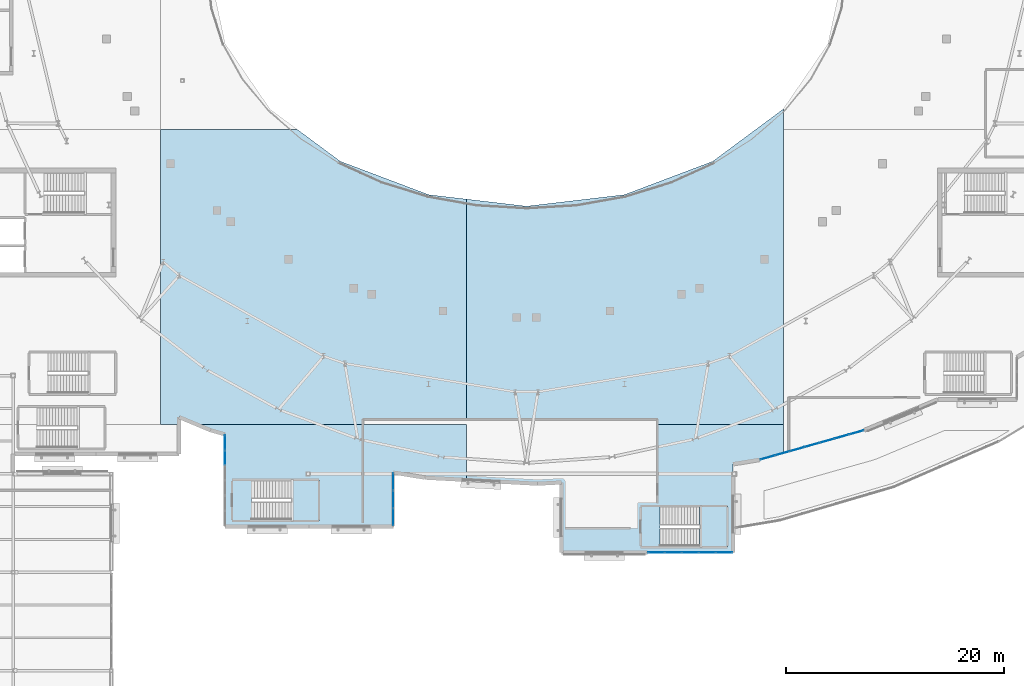
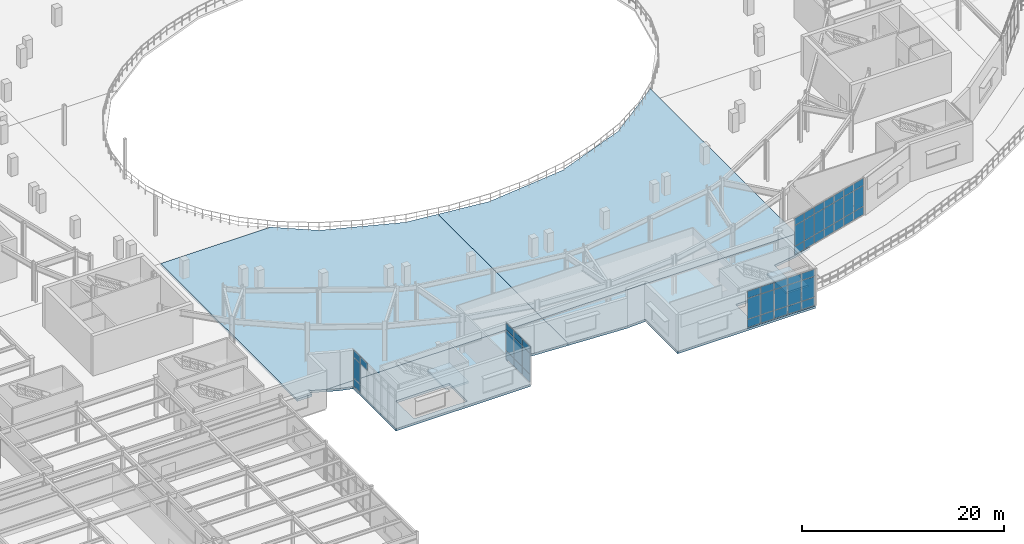
# One storey, part 51 of 84: 49 plates, 6 slabs, 6 elements without a shape of their own.
"""IFC4 building model written with IfcOpenShell, lengths in metres."""

from ifc_helpers import new_model, si_unit, direction, frame, origin, origin_2d, place, context, subcontext, project, spatial, polyline, rectangle, outline, extrude, material, layer, layer_set, type_object, element, aggregate, save


model = new_model("IFC4")

# Units and contexts
model_context = context("Model", 3, precision=1e-05, world=origin(), true_north=direction((0.0, 1.0)))
body_context = subcontext(model_context, "Body", "Model", "MODEL_VIEW")
ifc_project = project(units=[si_unit("LENGTHUNIT", "METRE"), si_unit("AREAUNIT", "SQUARE_METRE"), si_unit("VOLUMEUNIT", "CUBIC_METRE"), si_unit("PLANEANGLEUNIT", "RADIAN"), si_unit("MASSUNIT", "GRAM", prefix="KILO")], contexts=[model_context])

# Site, building, storey
site_placement = place(None, origin())
site = spatial("IfcSite", under=ifc_project, at=site_placement, CompositionType="ELEMENT")
building_placement = place(site_placement, origin())
building = spatial("IfcBuilding", under=site, at=building_placement, Name="Glasvene Arena", CompositionType="ELEMENT")
storey_placement = place(building_placement, frame((0.0, 0.0, 10.199951171875)))
storey = spatial("IfcBuildingStorey", under=building, at=storey_placement, Name="L02", CompositionType="ELEMENT", Elevation=10.199951171875)

# Curtain wall, plates
ifc_material_1 = material(Name="Low-emissivity laminated double glazing", Category="glass")
curtain_wall_type_1 = type_object("IfcCurtainWallType", Name="CW-FAC-L02-985x446", PredefinedType="USERDEFINED", material=ifc_material_1)
curtain_wall_1_placement = place(storey_placement, frame((122.87939453125, 30.98291015625, 0.0)))
curtain_wall_1 = element("IfcCurtainWall", 1, at=curtain_wall_1_placement, inside=storey, type_object=curtain_wall_type_1, Name="Unitised curtain wall CW-F-L02-180-1181-296-46", ObjectType="CURTAIN WALL", PredefinedType="USERDEFINED")
ifc_layer_1 = layer(ifc_material_1, 0.028076171875)
ifc_layer_set_1 = layer_set([ifc_layer_1], Name="Low-emissivity laminated double glazing")
plate_type = type_object("IfcPlateType", Name="CW-GLZ-28", PredefinedType="CURTAIN_PANEL", material=ifc_layer_set_1)
plate_1_placement = place(storey_placement, frame((122.190673828125, 30.78857421875, 0.10986328125), z_axis=(0.0, 0.0, 1.0), x_axis=(-0.962411023599, -0.271597167979, 0.0)))
plate_1 = element("IfcPlate", 2, at=plate_1_placement, type_object=plate_type, Name="CW-026 panel 1.1", PredefinedType="CURTAIN_PANEL", context=body_context, shape_type="SweptSolid", body=[
    extrude(rectangle(XDim=1.331787109375, YDim=0.028076171875, at=origin_2d()), origin(), (0.0, 0.0, 1.0), 0.965087890625),
])
plate_2_placement = place(storey_placement, frame((122.190673828125, 30.78857421875, 1.125), z_axis=(0.0, 0.0, 1.0), x_axis=(-0.962411023599, -0.271597167979, 0.0)))
plate_2 = element("IfcPlate", 3, at=plate_2_placement, type_object=plate_type, Name="CW-026 panel 1.2", PredefinedType="CURTAIN_PANEL", context=body_context, shape_type="SweptSolid", body=[
    extrude(rectangle(XDim=1.331787109375, YDim=0.028076171875, at=origin_2d()), origin(), (0.0, 0.0, 1.0), 2.469970703125),
])
plate_3_placement = place(storey_placement, frame((122.190673828125, 30.78857421875, 3.64501953125), z_axis=(0.0, 0.0, 1.0), x_axis=(-0.962411023599, -0.271597167979, 0.0)))
plate_3 = element("IfcPlate", 4, at=plate_3_placement, type_object=plate_type, Name="CW-026 panel 1.3", PredefinedType="CURTAIN_PANEL", context=body_context, shape_type="SweptSolid", body=[
    extrude(rectangle(XDim=1.331787109375, YDim=0.028076171875, at=origin_2d()), origin(), (0.0, 0.0, 1.0), 0.824951171875),
])
plate_4_placement = place(storey_placement, frame((120.848876953125, 30.409912109375, 0.10986328125), z_axis=(0.0, 0.0, 1.0), x_axis=(-0.962411023599, -0.271597167979, 0.0)))
plate_4 = element("IfcPlate", 5, at=plate_4_placement, type_object=plate_type, Name="CW-026 panel 2.1", PredefinedType="CURTAIN_PANEL", context=body_context, shape_type="SweptSolid", body=[
    extrude(rectangle(XDim=1.356689453125, YDim=0.028076171875, at=origin_2d()), origin(), (0.0, 0.0, 1.0), 0.965087890625),
])
plate_5_placement = place(storey_placement, frame((120.848876953125, 30.409912109375, 1.125), z_axis=(0.0, 0.0, 1.0), x_axis=(-0.962411023599, -0.271597167979, 0.0)))
plate_5 = element("IfcPlate", 6, at=plate_5_placement, type_object=plate_type, Name="CW-026 panel 2.2", PredefinedType="CURTAIN_PANEL", context=body_context, shape_type="SweptSolid", body=[
    extrude(rectangle(XDim=1.356689453125, YDim=0.028076171875, at=origin_2d()), origin(), (0.0, 0.0, 1.0), 2.469970703125),
])
plate_6_placement = place(storey_placement, frame((120.848876953125, 30.409912109375, 3.64501953125), z_axis=(0.0, 0.0, 1.0), x_axis=(-0.962411023599, -0.271597167979, 0.0)))
plate_6 = element("IfcPlate", 7, at=plate_6_placement, type_object=plate_type, Name="CW-026 panel 2.3", PredefinedType="CURTAIN_PANEL", context=body_context, shape_type="SweptSolid", body=[
    extrude(rectangle(XDim=1.356689453125, YDim=0.028076171875, at=origin_2d()), origin(), (0.0, 0.0, 1.0), 0.824951171875),
])
plate_7_placement = place(storey_placement, frame((119.494873046875, 30.02783203125, 0.10986328125), z_axis=(0.0, 0.0, 1.0), x_axis=(-0.962411023599, -0.271597167979, 0.0)))
plate_7 = element("IfcPlate", 8, at=plate_7_placement, type_object=plate_type, Name="CW-026 panel 3.1", PredefinedType="CURTAIN_PANEL", context=body_context, shape_type="SweptSolid", body=[
    extrude(rectangle(XDim=1.356689453125, YDim=0.028076171875, at=origin_2d()), origin(), (0.0, 0.0, 1.0), 0.965087890625),
])
plate_8_placement = place(storey_placement, frame((119.494873046875, 30.02783203125, 1.125), z_axis=(0.0, 0.0, 1.0), x_axis=(-0.962411023599, -0.271597167979, 0.0)))
plate_8 = element("IfcPlate", 9, at=plate_8_placement, type_object=plate_type, Name="CW-026 panel 3.2", PredefinedType="CURTAIN_PANEL", context=body_context, shape_type="SweptSolid", body=[
    extrude(rectangle(XDim=1.356689453125, YDim=0.028076171875, at=origin_2d()), origin(), (0.0, 0.0, 1.0), 2.469970703125),
])
plate_9_placement = place(storey_placement, frame((119.494873046875, 30.02783203125, 3.64501953125), z_axis=(0.0, 0.0, 1.0), x_axis=(-0.962411023599, -0.271597167979, 0.0)))
plate_9 = element("IfcPlate", 10, at=plate_9_placement, type_object=plate_type, Name="CW-026 panel 3.3", PredefinedType="CURTAIN_PANEL", context=body_context, shape_type="SweptSolid", body=[
    extrude(rectangle(XDim=1.356689453125, YDim=0.028076171875, at=origin_2d()), origin(), (0.0, 0.0, 1.0), 0.824951171875),
])
plate_10_placement = place(storey_placement, frame((118.14111328125, 29.645751953125, 0.10986328125), z_axis=(0.0, 0.0, 1.0), x_axis=(-0.962411023599, -0.271597167979, 0.0)))
plate_10 = element("IfcPlate", 11, at=plate_10_placement, type_object=plate_type, Name="CW-026 panel 4.1", PredefinedType="CURTAIN_PANEL", context=body_context, shape_type="SweptSolid", body=[
    extrude(rectangle(XDim=1.356689453125, YDim=0.028076171875, at=origin_2d()), origin(), (0.0, 0.0, 1.0), 0.965087890625),
])
plate_11_placement = place(storey_placement, frame((118.14111328125, 29.645751953125, 1.125), z_axis=(0.0, 0.0, 1.0), x_axis=(-0.962411023599, -0.271597167979, 0.0)))
plate_11 = element("IfcPlate", 12, at=plate_11_placement, type_object=plate_type, Name="CW-026 panel 4.2", PredefinedType="CURTAIN_PANEL", context=body_context, shape_type="SweptSolid", body=[
    extrude(rectangle(XDim=1.356689453125, YDim=0.028076171875, at=origin_2d()), origin(), (0.0, 0.0, 1.0), 2.469970703125),
])
plate_12_placement = place(storey_placement, frame((118.14111328125, 29.645751953125, 3.64501953125), z_axis=(0.0, 0.0, 1.0), x_axis=(-0.962411023599, -0.271597167979, 0.0)))
plate_12 = element("IfcPlate", 13, at=plate_12_placement, type_object=plate_type, Name="CW-026 panel 4.3", PredefinedType="CURTAIN_PANEL", context=body_context, shape_type="SweptSolid", body=[
    extrude(rectangle(XDim=1.356689453125, YDim=0.028076171875, at=origin_2d()), origin(), (0.0, 0.0, 1.0), 0.824951171875),
])
plate_13_placement = place(storey_placement, frame((116.787353515625, 29.263671875, 0.10986328125), z_axis=(0.0, 0.0, 1.0), x_axis=(-0.962411023599, -0.271597167979, 0.0)))
plate_13 = element("IfcPlate", 14, at=plate_13_placement, type_object=plate_type, Name="CW-026 panel 5.1", PredefinedType="CURTAIN_PANEL", context=body_context, shape_type="SweptSolid", body=[
    extrude(rectangle(XDim=1.356689453125, YDim=0.028076171875, at=origin_2d()), origin(), (0.0, 0.0, 1.0), 0.965087890625),
])
plate_14_placement = place(storey_placement, frame((116.787353515625, 29.263671875, 1.125), z_axis=(0.0, 0.0, 1.0), x_axis=(-0.962411023599, -0.271597167979, 0.0)))
plate_14 = element("IfcPlate", 15, at=plate_14_placement, type_object=plate_type, Name="CW-026 panel 5.2", PredefinedType="CURTAIN_PANEL", context=body_context, shape_type="SweptSolid", body=[
    extrude(rectangle(XDim=1.356689453125, YDim=0.028076171875, at=origin_2d()), origin(), (0.0, 0.0, 1.0), 2.469970703125),
])
plate_15_placement = place(storey_placement, frame((116.787353515625, 29.263671875, 3.64501953125), z_axis=(0.0, 0.0, 1.0), x_axis=(-0.962411023599, -0.271597167979, 0.0)))
plate_15 = element("IfcPlate", 16, at=plate_15_placement, type_object=plate_type, Name="CW-026 panel 5.3", PredefinedType="CURTAIN_PANEL", context=body_context, shape_type="SweptSolid", body=[
    extrude(rectangle(XDim=1.356689453125, YDim=0.028076171875, at=origin_2d()), origin(), (0.0, 0.0, 1.0), 0.824951171875),
])
plate_16_placement = place(storey_placement, frame((115.433349609375, 28.881591796875, 0.10986328125), z_axis=(0.0, 0.0, 1.0), x_axis=(-0.962411023599, -0.271597167979, 0.0)))
plate_16 = element("IfcPlate", 17, at=plate_16_placement, type_object=plate_type, Name="CW-026 panel 6.1", PredefinedType="CURTAIN_PANEL", context=body_context, shape_type="SweptSolid", body=[
    extrude(rectangle(XDim=1.356689453125, YDim=0.028076171875, at=origin_2d()), origin(), (0.0, 0.0, 1.0), 0.965087890625),
])
plate_17_placement = place(storey_placement, frame((115.433349609375, 28.881591796875, 1.125), z_axis=(0.0, 0.0, 1.0), x_axis=(-0.962411023599, -0.271597167979, 0.0)))
plate_17 = element("IfcPlate", 18, at=plate_17_placement, type_object=plate_type, Name="CW-026 panel 6.2", PredefinedType="CURTAIN_PANEL", context=body_context, shape_type="SweptSolid", body=[
    extrude(rectangle(XDim=1.356689453125, YDim=0.028076171875, at=origin_2d()), origin(), (0.0, 0.0, 1.0), 2.469970703125),
])
plate_18_placement = place(storey_placement, frame((115.433349609375, 28.881591796875, 3.64501953125), z_axis=(0.0, 0.0, 1.0), x_axis=(-0.962411023599, -0.271597167979, 0.0)))
plate_18 = element("IfcPlate", 19, at=plate_18_placement, type_object=plate_type, Name="CW-026 panel 6.3", PredefinedType="CURTAIN_PANEL", context=body_context, shape_type="SweptSolid", body=[
    extrude(rectangle(XDim=1.356689453125, YDim=0.028076171875, at=origin_2d()), origin(), (0.0, 0.0, 1.0), 0.824951171875),
])
plate_19_placement = place(storey_placement, frame((114.091552734375, 28.5029296875, 0.10986328125), z_axis=(0.0, 0.0, 1.0), x_axis=(-0.962411023599, -0.271597167979, 0.0)))
plate_19 = element("IfcPlate", 20, at=plate_19_placement, type_object=plate_type, Name="CW-026 panel 7.1", PredefinedType="CURTAIN_PANEL", context=body_context, shape_type="SweptSolid", body=[
    extrude(rectangle(XDim=1.331787109375, YDim=0.028076171875, at=origin_2d()), origin(), (0.0, 0.0, 1.0), 0.965087890625),
])
plate_20_placement = place(storey_placement, frame((114.091552734375, 28.5029296875, 1.125), z_axis=(0.0, 0.0, 1.0), x_axis=(-0.962411023599, -0.271597167979, 0.0)))
plate_20 = element("IfcPlate", 21, at=plate_20_placement, type_object=plate_type, Name="CW-026 panel 7.2", PredefinedType="CURTAIN_PANEL", context=body_context, shape_type="SweptSolid", body=[
    extrude(rectangle(XDim=1.331787109375, YDim=0.028076171875, at=origin_2d()), origin(), (0.0, 0.0, 1.0), 2.469970703125),
])
plate_21_placement = place(storey_placement, frame((114.091552734375, 28.5029296875, 3.64501953125), z_axis=(0.0, 0.0, 1.0), x_axis=(-0.962411023599, -0.271597167979, 0.0)))
plate_21 = element("IfcPlate", 22, at=plate_21_placement, type_object=plate_type, Name="CW-026 panel 7.3", PredefinedType="CURTAIN_PANEL", context=body_context, shape_type="SweptSolid", body=[
    extrude(rectangle(XDim=1.331787109375, YDim=0.028076171875, at=origin_2d()), origin(), (0.0, 0.0, 1.0), 0.824951171875),
])
aggregate(curtain_wall_1, [plate_1, plate_2, plate_3, plate_4, plate_5, plate_6, plate_7, plate_8, plate_9, plate_10, plate_11, plate_12, plate_13, plate_14, plate_15, plate_16, plate_17, plate_18, plate_19, plate_20, plate_21])

curtain_wall_type_2 = type_object("IfcCurtainWallType", Name="CW-FAC-L01-777x446", PredefinedType="USERDEFINED", material=ifc_material_1)
curtain_wall_2_placement = place(storey_placement, frame((110.860107421875, 19.800048828125, 0.0)))
curtain_wall_2 = element("IfcCurtainWall", 23, at=curtain_wall_2_placement, inside=storey, type_object=curtain_wall_type_2, Name="Unitised curtain wall CW-F-L02-180-1070-198-49", ObjectType="CURTAIN WALL", PredefinedType="USERDEFINED")
plate_22_placement = place(storey_placement, frame((110.070556640625, 19.800048828125, 0.10986328125), z_axis=(0.0, 0.0, 1.0), x_axis=(-1.0, 0.0, 0.0)))
plate_22 = element("IfcPlate", 24, at=plate_22_placement, type_object=plate_type, Name="CW-013 panel 1.1", PredefinedType="CURTAIN_PANEL", context=body_context, shape_type="SweptSolid", body=[
    extrude(rectangle(XDim=1.47900390625, YDim=0.028076171875, at=origin_2d()), origin(), (0.0, 0.0, 1.0), 0.965087890625),
])
plate_23_placement = place(storey_placement, frame((110.070556640625, 19.800048828125, 1.125), z_axis=(0.0, 0.0, 1.0), x_axis=(-1.0, 0.0, 0.0)))
plate_23 = element("IfcPlate", 25, at=plate_23_placement, type_object=plate_type, Name="CW-013 panel 1.2", PredefinedType="CURTAIN_PANEL", context=body_context, shape_type="SweptSolid", body=[
    extrude(rectangle(XDim=1.47900390625, YDim=0.028076171875, at=origin_2d()), origin(), (0.0, 0.0, 1.0), 2.469970703125),
])
plate_24_placement = place(storey_placement, frame((110.070556640625, 19.800048828125, 3.64501953125), z_axis=(0.0, 0.0, 1.0), x_axis=(-1.0, 0.0, 0.0)))
plate_24 = element("IfcPlate", 26, at=plate_24_placement, type_object=plate_type, Name="CW-013 panel 1.3", PredefinedType="CURTAIN_PANEL", context=body_context, shape_type="SweptSolid", body=[
    extrude(rectangle(XDim=1.47900390625, YDim=0.028076171875, at=origin_2d()), origin(), (0.0, 0.0, 1.0), 0.824951171875),
])
plate_25_placement = place(storey_placement, frame((108.529052734375, 19.800048828125, 0.10986328125), z_axis=(0.0, 0.0, 1.0), x_axis=(-1.0, 0.0, 0.0)))
plate_25 = element("IfcPlate", 27, at=plate_25_placement, type_object=plate_type, Name="CW-013 panel 2.1", PredefinedType="CURTAIN_PANEL", context=body_context, shape_type="SweptSolid", body=[
    extrude(rectangle(XDim=1.50390625, YDim=0.028076171875, at=origin_2d()), origin(), (0.0, 0.0, 1.0), 0.965087890625),
])
plate_26_placement = place(storey_placement, frame((108.529052734375, 19.800048828125, 1.125), z_axis=(0.0, 0.0, 1.0), x_axis=(-1.0, 0.0, 0.0)))
plate_26 = element("IfcPlate", 28, at=plate_26_placement, type_object=plate_type, Name="CW-013 panel 2.2", PredefinedType="CURTAIN_PANEL", context=body_context, shape_type="SweptSolid", body=[
    extrude(rectangle(XDim=1.50390625, YDim=0.028076171875, at=origin_2d()), origin(), (0.0, 0.0, 1.0), 2.469970703125),
])
plate_27_placement = place(storey_placement, frame((108.529052734375, 19.800048828125, 3.64501953125), z_axis=(0.0, 0.0, 1.0), x_axis=(-1.0, 0.0, 0.0)))
plate_27 = element("IfcPlate", 29, at=plate_27_placement, type_object=plate_type, Name="CW-013 panel 2.3", PredefinedType="CURTAIN_PANEL", context=body_context, shape_type="SweptSolid", body=[
    extrude(rectangle(XDim=1.50390625, YDim=0.028076171875, at=origin_2d()), origin(), (0.0, 0.0, 1.0), 0.824951171875),
])
plate_28_placement = place(storey_placement, frame((106.97509765625, 19.800048828125, 0.10986328125), z_axis=(0.0, 0.0, 1.0), x_axis=(-1.0, 0.0, 0.0)))
plate_28 = element("IfcPlate", 30, at=plate_28_placement, type_object=plate_type, Name="CW-013 panel 3.1", PredefinedType="CURTAIN_PANEL", context=body_context, shape_type="SweptSolid", body=[
    extrude(rectangle(XDim=1.50390625, YDim=0.028076171875, at=origin_2d()), origin(), (0.0, 0.0, 1.0), 0.965087890625),
])
plate_29_placement = place(storey_placement, frame((106.97509765625, 19.800048828125, 1.125), z_axis=(0.0, 0.0, 1.0), x_axis=(-1.0, 0.0, 0.0)))
plate_29 = element("IfcPlate", 31, at=plate_29_placement, type_object=plate_type, Name="CW-013 panel 3.2", PredefinedType="CURTAIN_PANEL", context=body_context, shape_type="SweptSolid", body=[
    extrude(rectangle(XDim=1.50390625, YDim=0.028076171875, at=origin_2d()), origin(), (0.0, 0.0, 1.0), 2.469970703125),
])
plate_30_placement = place(storey_placement, frame((106.97509765625, 19.800048828125, 3.64501953125), z_axis=(0.0, 0.0, 1.0), x_axis=(-1.0, 0.0, 0.0)))
plate_30 = element("IfcPlate", 32, at=plate_30_placement, type_object=plate_type, Name="CW-013 panel 3.3", PredefinedType="CURTAIN_PANEL", context=body_context, shape_type="SweptSolid", body=[
    extrude(rectangle(XDim=1.50390625, YDim=0.028076171875, at=origin_2d()), origin(), (0.0, 0.0, 1.0), 0.824951171875),
])
plate_31_placement = place(storey_placement, frame((105.4208984375, 19.800048828125, 0.10986328125), z_axis=(0.0, 0.0, 1.0), x_axis=(-1.0, 0.0, 0.0)))
plate_31 = element("IfcPlate", 33, at=plate_31_placement, type_object=plate_type, Name="CW-013 panel 4.1", PredefinedType="CURTAIN_PANEL", context=body_context, shape_type="SweptSolid", body=[
    extrude(rectangle(XDim=1.50390625, YDim=0.028076171875, at=origin_2d()), origin(), (0.0, 0.0, 1.0), 0.965087890625),
])
plate_32_placement = place(storey_placement, frame((105.4208984375, 19.800048828125, 1.125), z_axis=(0.0, 0.0, 1.0), x_axis=(-1.0, 0.0, 0.0)))
plate_32 = element("IfcPlate", 34, at=plate_32_placement, type_object=plate_type, Name="CW-013 panel 4.2", PredefinedType="CURTAIN_PANEL", context=body_context, shape_type="SweptSolid", body=[
    extrude(rectangle(XDim=1.50390625, YDim=0.028076171875, at=origin_2d()), origin(), (0.0, 0.0, 1.0), 2.469970703125),
])
plate_33_placement = place(storey_placement, frame((105.4208984375, 19.800048828125, 3.64501953125), z_axis=(0.0, 0.0, 1.0), x_axis=(-1.0, 0.0, 0.0)))
plate_33 = element("IfcPlate", 35, at=plate_33_placement, type_object=plate_type, Name="CW-013 panel 4.3", PredefinedType="CURTAIN_PANEL", context=body_context, shape_type="SweptSolid", body=[
    extrude(rectangle(XDim=1.50390625, YDim=0.028076171875, at=origin_2d()), origin(), (0.0, 0.0, 1.0), 0.824951171875),
])
plate_34_placement = place(storey_placement, frame((103.87939453125, 19.800048828125, 0.10986328125), z_axis=(0.0, 0.0, 1.0), x_axis=(-1.0, 0.0, 0.0)))
plate_34 = element("IfcPlate", 36, at=plate_34_placement, type_object=plate_type, Name="CW-013 panel 5.1", PredefinedType="CURTAIN_PANEL", context=body_context, shape_type="SweptSolid", body=[
    extrude(rectangle(XDim=1.47900390625, YDim=0.028076171875, at=origin_2d()), origin(), (0.0, 0.0, 1.0), 0.965087890625),
])
plate_35_placement = place(storey_placement, frame((103.87939453125, 19.800048828125, 1.125), z_axis=(0.0, 0.0, 1.0), x_axis=(-1.0, 0.0, 0.0)))
plate_35 = element("IfcPlate", 37, at=plate_35_placement, type_object=plate_type, Name="CW-013 panel 5.2", PredefinedType="CURTAIN_PANEL", context=body_context, shape_type="SweptSolid", body=[
    extrude(rectangle(XDim=1.47900390625, YDim=0.028076171875, at=origin_2d()), origin(), (0.0, 0.0, 1.0), 2.469970703125),
])
plate_36_placement = place(storey_placement, frame((103.87939453125, 19.800048828125, 3.64501953125), z_axis=(0.0, 0.0, 1.0), x_axis=(-1.0, 0.0, 0.0)))
plate_36 = element("IfcPlate", 38, at=plate_36_placement, type_object=plate_type, Name="CW-013 panel 5.3", PredefinedType="CURTAIN_PANEL", context=body_context, shape_type="SweptSolid", body=[
    extrude(rectangle(XDim=1.47900390625, YDim=0.028076171875, at=origin_2d()), origin(), (0.0, 0.0, 1.0), 0.824951171875),
])
aggregate(curtain_wall_2, [plate_22, plate_23, plate_24, plate_25, plate_26, plate_27, plate_28, plate_29, plate_30, plate_31, plate_32, plate_33, plate_34, plate_35, plate_36])

curtain_wall_type_3 = type_object("IfcCurtainWallType", Name="CW-FAC-L02-485x446", PredefinedType="USERDEFINED", material=ifc_material_1)
curtain_wall_3_placement = place(storey_placement, frame((79.800048828125, 27.085693359375, 0.0)))
curtain_wall_3 = element("IfcCurtainWall", 39, at=curtain_wall_3_placement, inside=storey, type_object=curtain_wall_type_3, Name="Unitised curtain wall CW-F-L02-180-798-247-55", ObjectType="CURTAIN WALL", PredefinedType="USERDEFINED")
plate_37_placement = place(storey_placement, frame((79.800048828125, 26.265625, 0.10986328125), z_axis=(0.0, 0.0, 1.0), x_axis=(0.0, -1.0, 0.0)))
plate_37 = element("IfcPlate", 40, at=plate_37_placement, type_object=plate_type, Name="CW-027 panel 1.1", PredefinedType="CURTAIN_PANEL", context=body_context, shape_type="SweptSolid", body=[
    extrude(rectangle(XDim=1.540283203125, YDim=0.028076171875, at=origin_2d()), origin(), (0.0, 0.0, 1.0), 0.965087890625),
])
plate_38_placement = place(storey_placement, frame((79.800048828125, 26.265625, 1.125), z_axis=(0.0, 0.0, 1.0), x_axis=(0.0, -1.0, 0.0)))
plate_38 = element("IfcPlate", 41, at=plate_38_placement, type_object=plate_type, Name="CW-027 panel 1.2", PredefinedType="CURTAIN_PANEL", context=body_context, shape_type="SweptSolid", body=[
    extrude(rectangle(XDim=1.540283203125, YDim=0.028076171875, at=origin_2d()), origin(), (0.0, 0.0, 1.0), 2.469970703125),
])
plate_39_placement = place(storey_placement, frame((79.800048828125, 26.265625, 3.64501953125), z_axis=(0.0, 0.0, 1.0), x_axis=(0.0, -1.0, 0.0)))
plate_39 = element("IfcPlate", 42, at=plate_39_placement, type_object=plate_type, Name="CW-027 panel 1.3", PredefinedType="CURTAIN_PANEL", context=body_context, shape_type="SweptSolid", body=[
    extrude(rectangle(XDim=1.540283203125, YDim=0.028076171875, at=origin_2d()), origin(), (0.0, 0.0, 1.0), 0.824951171875),
])
plate_40_placement = place(storey_placement, frame((79.800048828125, 24.662841796875, 0.10986328125), z_axis=(0.0, 0.0, 1.0), x_axis=(0.0, -1.0, 0.0)))
plate_40 = element("IfcPlate", 43, at=plate_40_placement, type_object=plate_type, Name="CW-027 panel 2.1", PredefinedType="CURTAIN_PANEL", context=body_context, shape_type="SweptSolid", body=[
    extrude(rectangle(XDim=1.565185546875, YDim=0.028076171875, at=origin_2d()), origin(), (0.0, 0.0, 1.0), 0.965087890625),
])
plate_41_placement = place(storey_placement, frame((79.800048828125, 24.662841796875, 1.125), z_axis=(0.0, 0.0, 1.0), x_axis=(0.0, -1.0, 0.0)))
plate_41 = element("IfcPlate", 44, at=plate_41_placement, type_object=plate_type, Name="CW-027 panel 2.2", PredefinedType="CURTAIN_PANEL", context=body_context, shape_type="SweptSolid", body=[
    extrude(rectangle(XDim=1.565185546875, YDim=0.028076171875, at=origin_2d()), origin(), (0.0, 0.0, 1.0), 2.469970703125),
])
plate_42_placement = place(storey_placement, frame((79.800048828125, 24.662841796875, 3.64501953125), z_axis=(0.0, 0.0, 1.0), x_axis=(0.0, -1.0, 0.0)))
plate_42 = element("IfcPlate", 45, at=plate_42_placement, type_object=plate_type, Name="CW-027 panel 2.3", PredefinedType="CURTAIN_PANEL", context=body_context, shape_type="SweptSolid", body=[
    extrude(rectangle(XDim=1.565185546875, YDim=0.028076171875, at=origin_2d()), origin(), (0.0, 0.0, 1.0), 0.824951171875),
])
plate_43_placement = place(storey_placement, frame((79.800048828125, 23.06005859375, 0.10986328125), z_axis=(0.0, 0.0, 1.0), x_axis=(0.0, -1.0, 0.0)))
plate_43 = element("IfcPlate", 46, at=plate_43_placement, type_object=plate_type, Name="CW-027 panel 3.1", PredefinedType="CURTAIN_PANEL", context=body_context, shape_type="SweptSolid", body=[
    extrude(rectangle(XDim=1.540283203125, YDim=0.028076171875, at=origin_2d()), origin(), (0.0, 0.0, 1.0), 0.965087890625),
])
plate_44_placement = place(storey_placement, frame((79.800048828125, 23.06005859375, 1.125), z_axis=(0.0, 0.0, 1.0), x_axis=(0.0, -1.0, 0.0)))
plate_44 = element("IfcPlate", 47, at=plate_44_placement, type_object=plate_type, Name="CW-027 panel 3.2", PredefinedType="CURTAIN_PANEL", context=body_context, shape_type="SweptSolid", body=[
    extrude(rectangle(XDim=1.540283203125, YDim=0.028076171875, at=origin_2d()), origin(), (0.0, 0.0, 1.0), 2.469970703125),
])
plate_45_placement = place(storey_placement, frame((79.800048828125, 23.06005859375, 3.64501953125), z_axis=(0.0, 0.0, 1.0), x_axis=(0.0, -1.0, 0.0)))
plate_45 = element("IfcPlate", 48, at=plate_45_placement, type_object=plate_type, Name="CW-027 panel 3.3", PredefinedType="CURTAIN_PANEL", context=body_context, shape_type="SweptSolid", body=[
    extrude(rectangle(XDim=1.540283203125, YDim=0.028076171875, at=origin_2d()), origin(), (0.0, 0.0, 1.0), 0.824951171875),
])
aggregate(curtain_wall_3, [plate_37, plate_38, plate_39, plate_40, plate_41, plate_42, plate_43, plate_44, plate_45])

curtain_wall_type_4 = type_object("IfcCurtainWallType", Name="CW-FAC-L02-834x446", PredefinedType="USERDEFINED", material=ifc_material_1)
curtain_wall_4_placement = place(storey_placement, frame((64.39990234375, 22.239990234375, 0.0)))
curtain_wall_4 = element("IfcCurtainWall", 49, at=curtain_wall_4_placement, inside=storey, type_object=curtain_wall_type_4, Name="Unitised curtain wall CW-F-L02-180-644-264-58", ObjectType="CURTAIN WALL", PredefinedType="USERDEFINED")
plate_46_placement = place(storey_placement, frame((64.39990234375, 28.496337890625, 3.64501953125), z_axis=(0.0, 0.0, 1.0), x_axis=(0.0, 1.0, 0.0)))
plate_46 = element("IfcPlate", 50, at=plate_46_placement, type_object=plate_type, Name="CW-028 panel 5.3", PredefinedType="CURTAIN_PANEL", context=body_context, shape_type="SweptSolid", body=[
    extrude(rectangle(XDim=1.34033203125, YDim=0.028076171875, at=origin_2d()), origin(), (0.0, 0.0, 1.0), 0.824951171875),
])
plate_47_placement = place(storey_placement, frame((64.39990234375, 29.874267578125, 0.10986328125), z_axis=(0.0, 0.0, 1.0), x_axis=(0.0, 1.0, 0.0)))
plate_47 = element("IfcPlate", 51, at=plate_47_placement, type_object=plate_type, Name="CW-028 panel 6.1", PredefinedType="CURTAIN_PANEL", context=body_context, shape_type="SweptSolid", body=[
    extrude(rectangle(XDim=1.315185546875, YDim=0.028076171875, at=origin_2d()), origin(), (0.0, 0.0, 1.0), 0.965087890625),
])
plate_48_placement = place(storey_placement, frame((64.39990234375, 29.874267578125, 1.125), z_axis=(0.0, 0.0, 1.0), x_axis=(0.0, 1.0, 0.0)))
plate_48 = element("IfcPlate", 52, at=plate_48_placement, type_object=plate_type, Name="CW-028 panel 6.2", PredefinedType="CURTAIN_PANEL", context=body_context, shape_type="SweptSolid", body=[
    extrude(rectangle(XDim=1.315185546875, YDim=0.028076171875, at=origin_2d()), origin(), (0.0, 0.0, 1.0), 2.469970703125),
])
plate_49_placement = place(storey_placement, frame((64.39990234375, 29.874267578125, 3.64501953125), z_axis=(0.0, 0.0, 1.0), x_axis=(0.0, 1.0, 0.0)))
plate_49 = element("IfcPlate", 53, at=plate_49_placement, type_object=plate_type, Name="CW-028 panel 6.3", PredefinedType="CURTAIN_PANEL", context=body_context, shape_type="SweptSolid", body=[
    extrude(rectangle(XDim=1.315185546875, YDim=0.028076171875, at=origin_2d()), origin(), (0.0, 0.0, 1.0), 0.824951171875),
])
aggregate(curtain_wall_4, [plate_46, plate_47, plate_48, plate_49])

# Slabs
ifc_material_2 = material(Name="Concrete C40/50", Category="concrete")
ifc_layer_2 = layer(ifc_material_2, 0.280029296875)
ifc_layer_set_2 = layer_set([ifc_layer_2], Name="Concrete C40/50")
slab_type_1 = type_object("IfcSlabType", Name="SL-CONC-280", PredefinedType="FLOOR", material=ifc_layer_set_2)
slab_1_placement = place(storey_placement, frame((74.338134765625, 27.693603515625, -0.280029296875)))
element("IfcSlab", 54, at=slab_1_placement, inside=storey, type_object=slab_type_1, Name="Structural floor slab L02 sector 1-3 (63)", PredefinedType="FLOOR", context=body_context, shape_type="SweptSolid", body=[
    extrude(outline(polyline([(5.4619140625, -0.56787109375), (5.4619140625, -5.49365234375), (-9.938232421875, -5.49365234375), (-9.938232421875, 2.92822265625), (-11.256103515625, 3.30029296875), (-12.468505859375, 3.806396484375), (12.161865234375, 3.806396484375), (12.161865234375, -1.2451171875), (8.352783203125, -1.040771484375), (5.4619140625, -0.56787109375)]), holes=[polyline([(-1.438232421875, -4.8935546875), (-1.438232421875, -1.343505859375), (-7.5361328125, -1.343505859375), (-7.5361328125, -4.8935546875), (-1.438232421875, -4.8935546875)])]), origin(), (0.0, 0.0, 1.0), 0.280029296875),
])
slab_2_placement = place(storey_placement, frame((102.25634765625, 26.64599609375, -0.280029296875)))
element("IfcSlab", 55, at=slab_2_placement, inside=storey, type_object=slab_type_1, Name="Structural floor slab L02 sector 1-4 (64)", PredefinedType="FLOOR", context=body_context, shape_type="SweptSolid", body=[
    extrude(outline(polyline([(8.6435546875, 1.24853515625), (8.6435546875, -6.845947265625), (-7.056396484375, -6.845947265625), (-7.056396484375, -0.427978515625), (-9.25634765625, -0.5458984375), (-15.75634765625, -0.197509765625), (-15.75634765625, 4.85400390625), (13.24365234375, 4.85400390625), (13.24365234375, 2.25439453125), (11.10791015625, 1.651611328125), (8.6435546875, 1.24853515625)]), holes=[polyline([(8.043701171875, -2.696044921875), (1.945556640625, -2.696044921875), (1.945556640625, -6.24609375), (8.043701171875, -6.24609375), (8.043701171875, -2.696044921875)])]), origin(), (0.0, 0.0, 1.0), 0.280029296875),
])
slab_3_placement = place(storey_placement, frame((70.13134765625, 43.550048828125, -0.280029296875)))
element("IfcSlab", 56, at=slab_3_placement, inside=storey, type_object=slab_type_1, Name="Structural floor slab L02 sector 2-3 (67)", PredefinedType="FLOOR", context=body_context, shape_type="SweptSolid", body=[
    extrude(outline(polyline([(-9.931396484375, -11.35302734375), (-9.931396484375, -12.050048828125), (-11.63134765625, -12.050048828125), (-11.63134765625, 14.949951171875), (0.91943359375, 14.949951171875), (4.82275390625, 12.05615234375), (12.9072265625, 9.002197265625), (16.36865234375, 8.595703125), (16.36865234375, -12.050048828125), (-8.26171875, -12.050048828125), (-9.931396484375, -11.35302734375)])), origin(), (0.0, 0.0, 1.0), 0.280029296875),
])
slab_4_placement = place(storey_placement, frame((102.68359375, 49.4482421875, -0.280029296875)))
element("IfcSlab", 57, at=slab_4_placement, inside=storey, type_object=slab_type_1, Name="Structural floor slab L02 sector 2-4 (68)", PredefinedType="FLOOR", context=body_context, shape_type="SweptSolid", body=[
    extrude(outline(polyline([(-1.72216796875, 3.10400390625), (6.3623046875, 6.157958984375), (12.77783203125, 10.914306640625), (12.81640625, 10.970458984375), (12.81640625, -17.9482421875), (-16.18359375, -17.9482421875), (-16.18359375, 2.697509765625), (-10.68359375, 2.0517578125), (-1.72216796875, 3.10400390625)])), origin(), (0.0, 0.0, 1.0), 0.280029296875),
])

# Stair, slab
stair_type = type_object("IfcStairType", Name="ST-HT-480-165", PredefinedType="HALF_TURN_STAIR", material=ifc_material_2)
stair_1_placement = place(storey_placement, origin())
stair_1 = element("IfcStair", 58, at=stair_1_placement, inside=storey, type_object=stair_type, Name="Protected escape stair ST-08 (L02 to L03)", PredefinedType="HALF_TURN_STAIR")
ifc_layer_3 = layer(ifc_material_2, 0.219970703125)
ifc_layer_set_3 = layer_set([ifc_layer_3], Name="Concrete C40/50")
slab_type_2 = type_object("IfcSlabType", Name="SL-LAND-220", PredefinedType="LANDING", material=ifc_layer_set_3)
slab_5_placement = place(storey_placement, frame((71.719970703125, 24.574951171875, 2.179931640625)))
slab_5 = element("IfcSlab", 59, at=slab_5_placement, type_object=slab_type_2, Name="Protected escape stair ST-08 (L02 to L03) landing 1", PredefinedType="LANDING", context=body_context, shape_type="SweptSolid", body=[
    extrude(outline(polyline([(-1.280029296875, -1.875), (1.280029296875, -1.875), (1.280029296875, 1.875), (-1.280029296875, 1.875), (-1.280029296875, -1.875)])), origin(), (0.0, 0.0, 1.0), 0.22021484375),
])
aggregate(stair_1, [slab_5])

stair_2_placement = place(storey_placement, origin())
stair_2 = element("IfcStair", 60, at=stair_2_placement, inside=storey, type_object=stair_type, Name="Protected escape stair ST-09 (L02 to L03)", PredefinedType="HALF_TURN_STAIR")
slab_6_placement = place(storey_placement, frame((109.1201171875, 22.175048828125, 2.179931640625)))
slab_6 = element("IfcSlab", 61, at=slab_6_placement, type_object=slab_type_2, Name="Protected escape stair ST-09 (L02 to L03) landing 1", PredefinedType="LANDING", context=body_context, shape_type="SweptSolid", body=[
    extrude(outline(polyline([(-1.280029296875, -1.875), (1.27978515625, -1.875), (1.27978515625, 1.875), (-1.280029296875, 1.875), (-1.280029296875, -1.875)])), origin(), (0.0, 0.0, 1.0), 0.22021484375),
])
aggregate(stair_2, [slab_6])

save(model, "model.ifc")
